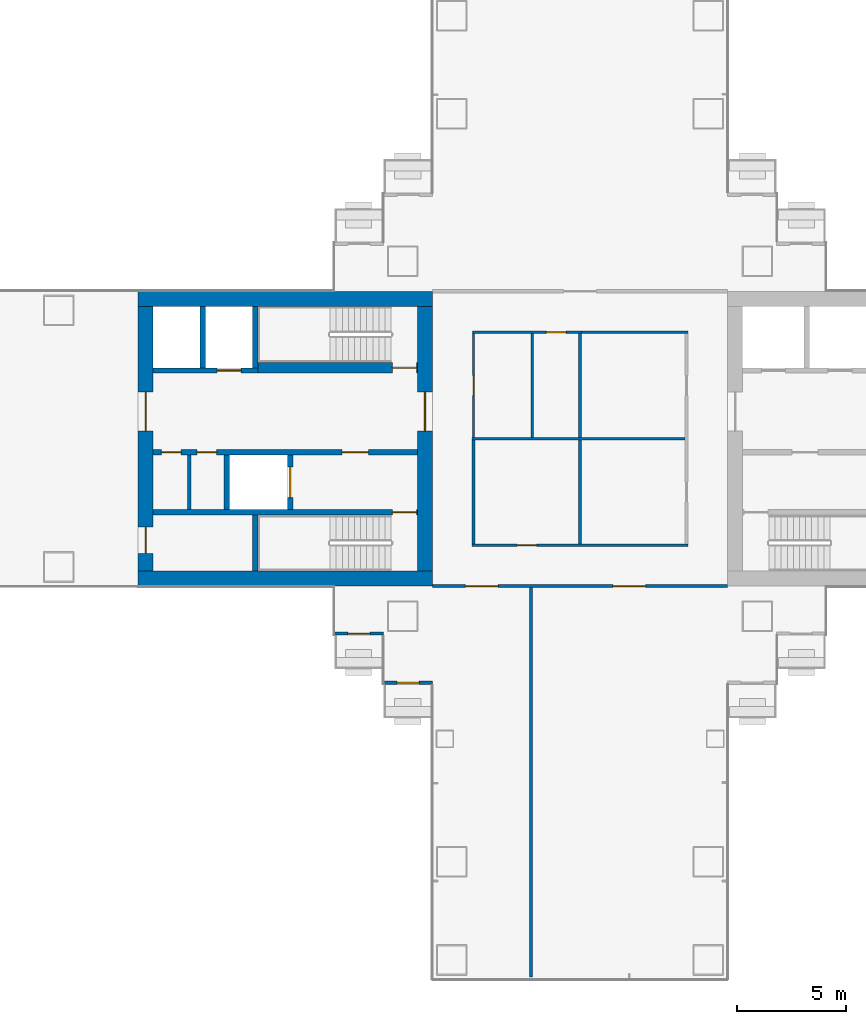
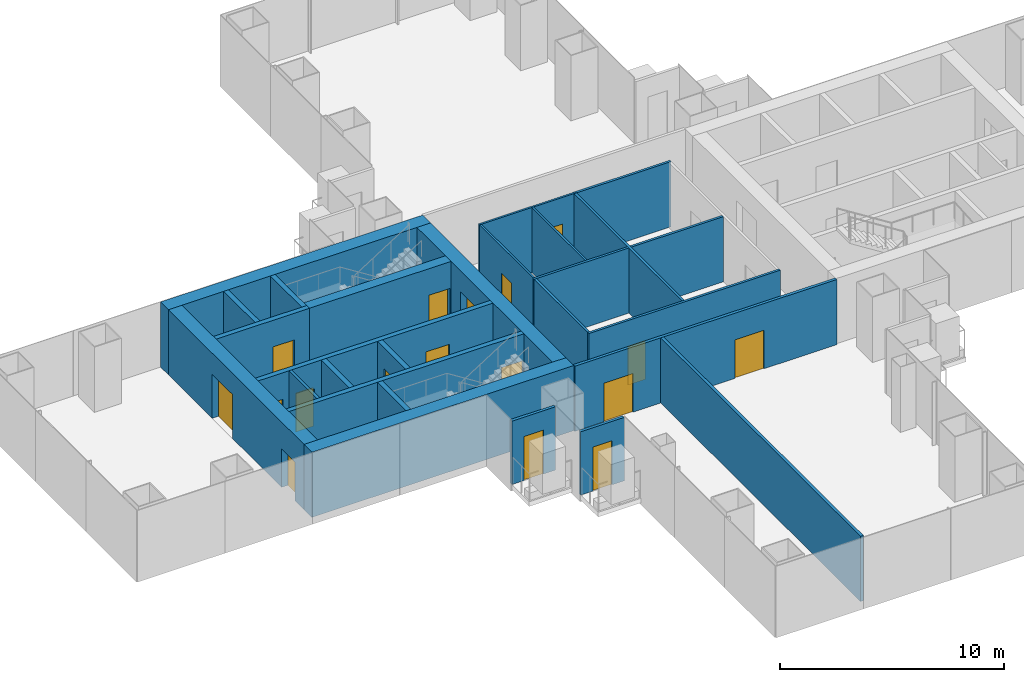
# One storey, part 14 of 21: 26 walls, 17 doors, 17 openings.
"""IFC4 building model written with IfcOpenShell, lengths in metres."""

from ifc_helpers import new_model, si_unit, direction, frame, frame_2d, origin, place, context, subcontext, project, spatial, rectangle, extrude, material, layer, layer_set, type_object, element, fill, save


model = new_model("IFC4")

# Units and contexts
model_context = context("Model", 3, precision=1e-05, world=origin(), true_north=direction((0.0, 1.0)))
body_context = subcontext(model_context, "Body", "Model", "MODEL_VIEW")
ifc_project = project(units=[si_unit("LENGTHUNIT", "METRE"), si_unit("AREAUNIT", "SQUARE_METRE"), si_unit("VOLUMEUNIT", "CUBIC_METRE"), si_unit("PLANEANGLEUNIT", "RADIAN"), si_unit("MASSUNIT", "GRAM", prefix="KILO")], contexts=[model_context])

# Site, building, storey
site_placement = place(None, origin())
site = spatial("IfcSite", under=ifc_project, at=site_placement, CompositionType="ELEMENT")
building_placement = place(site_placement, origin())
building = spatial("IfcBuilding", under=site, at=building_placement, Name="Shamsa Quay Exchange Towers", CompositionType="ELEMENT")
storey_placement = place(building_placement, frame((0.0, 0.0, 65.39990234375)))
storey = spatial("IfcBuildingStorey", under=building, at=storey_placement, Name="L14", CompositionType="ELEMENT", Elevation=65.39990234375)

# Wall, opening, door
ifc_material_1 = material(Name="Aluminium EN AW-6063 T6, black anodised, with black enamelled glass infill", Category="aluminium")
ifc_layer_1 = layer(ifc_material_1, 0.14990234375)
ifc_layer_set_1 = layer_set([ifc_layer_1], Name="BALCONY DOOR BAY WALL 150")
wall_type_1 = type_object("IfcWallType", Name="BALCONY DOOR BAY WALL 150", PredefinedType="SOLIDWALL", material=ifc_layer_set_1)
wall_1_placement = place(storey_placement, frame((-42.75, -8.925048828125, 0.0), z_axis=(0.0, 0.0, 1.0), x_axis=(-1.0, 0.0, 0.0)))
wall_1 = element("IfcWall", 1, at=wall_1_placement, inside=storey, type_object=wall_type_1, Name="Door bay T1-PKWS L14", PredefinedType="SOLIDWALL", context=body_context, shape_type="SweptSolid", body=[
    extrude(rectangle(XDim=2.25, YDim=0.14990234375, at=frame_2d((1.125, 0.0))), origin(), (0.0, 0.0, 1.0), 3.4501953125),
])
opening_1_placement = place(wall_1_placement, frame((0.625, 0.0, 0.0)))
opening_1 = element("IfcOpeningElement", 2, at=opening_1_placement, cuts=wall_1, Name="Opening XD087", PredefinedType="OPENING", context=body_context, shape_type="SweptSolid", body=[
    extrude(rectangle(XDim=1.0, YDim=2.39990234375, at=frame_2d((0.5, 1.199951171875))), frame((0.0, 0.0849609375, 0.0), z_axis=(0.0, -1.0, 0.0), x_axis=(1.0, 0.0, 0.0)), (0.0, 0.0, 1.0), 0.169921875),
])
ifc_material_2 = material(Name="Aluminium EN AW-6063 T6, black anodised, with laminated glass leaf", Category="aluminium")
door_type_1 = type_object("IfcDoorType", Name="BALCONY DOOR 1000x2400", OperationType="SINGLE_SWING_LEFT", PredefinedType="DOOR", material=ifc_material_2)
door_1_placement = place(opening_1_placement, origin())
door_1 = element("IfcDoor", 3, at=door_1_placement, inside=storey, type_object=door_type_1, Name="Balcony door T1-PKWS L14", OperationType="SINGLE_SWING_LEFT", OverallHeight=2.39990234375, OverallWidth=1.0, PredefinedType="DOOR", context=body_context, shape_type="SweptSolid", body=[
    extrude(rectangle(XDim=1.0, YDim=2.39990234375, at=frame_2d((0.5, 1.199951171875))), frame((0.0, 0.02490234375, 0.0), z_axis=(0.0, -1.0, 0.0), x_axis=(1.0, 0.0, 0.0)), (0.0, 0.0, 1.0), 0.050048828125),
])
fill(opening_1, door_1)

wall_2_placement = place(storey_placement, frame((-40.5, -11.175048828125, 0.0), z_axis=(0.0, 0.0, 1.0), x_axis=(-1.0, 0.0, 0.0)))
wall_2 = element("IfcWall", 4, at=wall_2_placement, inside=storey, type_object=wall_type_1, Name="Door bay T1-PKWS L14", PredefinedType="SOLIDWALL", context=body_context, shape_type="SweptSolid", body=[
    extrude(rectangle(XDim=2.25, YDim=0.14990234375, at=frame_2d((1.125, 0.0))), origin(), (0.0, 0.0, 1.0), 3.4501953125),
])
opening_2_placement = place(wall_2_placement, frame((0.625, 0.0, 0.0)))
opening_2 = element("IfcOpeningElement", 5, at=opening_2_placement, cuts=wall_2, Name="Opening XD088", PredefinedType="OPENING", context=body_context, shape_type="SweptSolid", body=[
    extrude(rectangle(XDim=1.0, YDim=2.39990234375, at=frame_2d((0.5, 1.199951171875))), frame((0.0, 0.0849609375, 0.0), z_axis=(0.0, -1.0, 0.0), x_axis=(1.0, 0.0, 0.0)), (0.0, 0.0, 1.0), 0.169921875),
])
door_2_placement = place(opening_2_placement, origin())
door_2 = element("IfcDoor", 6, at=door_2_placement, inside=storey, type_object=door_type_1, Name="Balcony door T1-PKWS L14", OperationType="SINGLE_SWING_RIGHT", OverallHeight=2.39990234375, OverallWidth=1.0, PredefinedType="DOOR", context=body_context, shape_type="SweptSolid", body=[
    extrude(rectangle(XDim=1.0, YDim=2.39990234375, at=frame_2d((0.5, 1.199951171875))), frame((0.0, 0.02490234375, 0.0), z_axis=(0.0, -1.0, 0.0), x_axis=(1.0, 0.0, 0.0)), (0.0, 0.0, 1.0), 0.050048828125),
])
fill(opening_2, door_2)

# Walls
ifc_material_3 = material(Name="Concrete C80/95", Category="concrete")
ifc_layer_2 = layer(ifc_material_3, 0.699951171875)
ifc_layer_set_2 = layer_set([ifc_layer_2], Name="CORE WALL 700 C80/95")
wall_type_2 = type_object("IfcWallType", Name="CORE WALL 700 C80/95", PredefinedType="SHEAR", material=ifc_layer_set_2)
for number, where, z_axis, x_axis, name in (
    (7, (-40.5, -6.39990234375, 0.0), (0.0, 0.0, 1.0), (-1.0, 0.0, 0.0), "Core wall T1B-R06-PS"),
    (8, (-40.5, 6.39990234375, 0.0), (0.0, 0.0, 1.0), (-1.0, 0.0, 0.0), "Core wall T1B-R06-PN"),
):
    element("IfcWall", number, at=place(storey_placement, frame(where, z_axis=z_axis, x_axis=x_axis)), inside=storey, type_object=wall_type_2, Name=name, PredefinedType="SHEAR", context=body_context, shape_type="SweptSolid", body=[
        extrude(rectangle(XDim=13.5, YDim=0.699951171875, at=frame_2d((6.75, 0.0))), origin(), (0.0, 0.0, 1.0), 3.550048828125),
    ])

# Wall, opening, door
wall_3_placement = place(storey_placement, frame((-40.85009765625, -6.050048828125, 0.0), z_axis=(0.0, 0.0, 1.0), x_axis=(0.0, 1.0, 0.0)))
wall_3 = element("IfcWall", 9, at=wall_3_placement, inside=storey, type_object=wall_type_2, Name="Core wall T1B-R06-PF", PredefinedType="SHEAR", context=body_context, shape_type="SweptSolid", body=[
    extrude(rectangle(XDim=12.10009765625, YDim=0.699951171875, at=frame_2d((6.050048828125, 0.0))), origin(), (0.0, 0.0, 1.0), 3.550048828125),
])
opening_3_placement = place(wall_3_placement, frame((6.39990234375, 0.0, 0.0)))
opening_3 = element("IfcOpeningElement", 10, at=opening_3_placement, cuts=wall_3, Name="Opening T1B-R06-LBD01", PredefinedType="OPENING", context=body_context, shape_type="SweptSolid", body=[
    extrude(rectangle(XDim=1.800048828125, YDim=2.39990234375, at=frame_2d((0.89990234375, 1.199951171875))), frame((0.0, 0.35986328125, 0.0), z_axis=(0.0, -1.0, 0.0), x_axis=(1.0, 0.0, 0.0)), (0.0, 0.0, 1.0), 0.719970703125),
])
ifc_material_4 = material(Name="Steel, fire rated", Category="steel")
door_type_2 = type_object("IfcDoorType", Name="LIFT LOBBY DOOR PAIR 1800", OperationType="DOUBLE_DOOR_SINGLE_SWING", PredefinedType="DOOR", material=ifc_material_4)
door_3_placement = place(opening_3_placement, origin())
door_3 = element("IfcDoor", 11, at=door_3_placement, inside=storey, type_object=door_type_2, Name="T1B-R06-LBD01", OperationType="DOUBLE_DOOR_SINGLE_SWING", OverallHeight=2.39990234375, OverallWidth=1.800048828125, PredefinedType="DOOR", context=body_context, shape_type="SweptSolid", body=[
    extrude(rectangle(XDim=1.800048828125, YDim=2.39990234375, at=frame_2d((0.89990234375, 1.199951171875))), frame((0.0, 0.02490234375, 0.0), z_axis=(0.0, -1.0, 0.0), x_axis=(1.0, 0.0, 0.0)), (0.0, 0.0, 1.0), 0.050048828125),
])
fill(opening_3, door_3)

# Wall, openings, doors
wall_4_placement = place(storey_placement, frame((-53.64990234375, -6.050048828125, 0.0), z_axis=(0.0, 0.0, 1.0), x_axis=(0.0, 1.0, 0.0)))
wall_4 = element("IfcWall", 12, at=wall_4_placement, inside=storey, type_object=wall_type_2, Name="Core wall T1B-R06-PB", PredefinedType="SHEAR", context=body_context, shape_type="SweptSolid", body=[
    extrude(rectangle(XDim=12.10009765625, YDim=0.699951171875, at=frame_2d((6.050048828125, 0.0))), origin(), (0.0, 0.0, 1.0), 3.550048828125),
])
opening_4_placement = place(wall_4_placement, frame((0.800048828125, 0.0, 0.0)))
opening_4 = element("IfcOpeningElement", 13, at=opening_4_placement, cuts=wall_4, Name="Opening T1B-R06-RD02", PredefinedType="OPENING", context=body_context, shape_type="SweptSolid", body=[
    extrude(rectangle(XDim=1.199951171875, YDim=2.10009765625, at=frame_2d((0.60009765625, 1.050048828125))), frame((0.0, 0.35986328125, 0.0), z_axis=(0.0, -1.0, 0.0), x_axis=(1.0, 0.0, 0.0)), (0.0, 0.0, 1.0), 0.719970703125),
])
opening_5_placement = place(wall_4_placement, frame((6.39990234375, 0.0, 0.0)))
opening_5 = element("IfcOpeningElement", 14, at=opening_5_placement, cuts=wall_4, Name="Opening T1B-R06-LBD03", PredefinedType="OPENING", context=body_context, shape_type="SweptSolid", body=[
    extrude(rectangle(XDim=1.800048828125, YDim=2.39990234375, at=frame_2d((0.89990234375, 1.199951171875))), frame((0.0, 0.35986328125, 0.0), z_axis=(0.0, -1.0, 0.0), x_axis=(1.0, 0.0, 0.0)), (0.0, 0.0, 1.0), 0.719970703125),
])
door_4_placement = place(opening_5_placement, origin())
door_4 = element("IfcDoor", 15, at=door_4_placement, inside=storey, type_object=door_type_2, Name="T1B-R06-LBD03", OperationType="DOUBLE_DOOR_SINGLE_SWING", OverallHeight=2.39990234375, OverallWidth=1.800048828125, PredefinedType="DOOR", context=body_context, shape_type="SweptSolid", body=[
    extrude(rectangle(XDim=1.800048828125, YDim=2.39990234375, at=frame_2d((0.89990234375, 1.199951171875))), frame((0.0, 0.02490234375, 0.0), z_axis=(0.0, -1.0, 0.0), x_axis=(1.0, 0.0, 0.0)), (0.0, 0.0, 1.0), 0.050048828125),
])
fill(opening_5, door_4)
door_type_3 = type_object("IfcDoorType", Name="RISER ACCESS DOOR 1200", OperationType="SINGLE_SWING_LEFT", PredefinedType="DOOR", material=ifc_material_4)
door_5_placement = place(opening_4_placement, origin())
door_5 = element("IfcDoor", 16, at=door_5_placement, inside=storey, type_object=door_type_3, Name="T1B-R06-RD02", OperationType="SINGLE_SWING_LEFT", OverallHeight=2.10009765625, OverallWidth=1.199951171875, PredefinedType="DOOR", context=body_context, shape_type="SweptSolid", body=[
    extrude(rectangle(XDim=1.199951171875, YDim=2.10009765625, at=frame_2d((0.60009765625, 1.050048828125))), frame((0.0, 0.02490234375, 0.0), z_axis=(0.0, -1.0, 0.0), x_axis=(1.0, 0.0, 0.0)), (0.0, 0.0, 1.0), 0.050048828125),
])
fill(opening_4, door_5)

# Walls
ifc_material_5 = material(Name="Gypsum board on steel studs, EI 60", Category="steel")
ifc_layer_3 = layer(ifc_material_5, 0.14990234375)
ifc_layer_set_3 = layer_set([ifc_layer_3], Name="FIRE PARTITION 150")
wall_type_3 = type_object("IfcWallType", Name="FIRE PARTITION 150", PredefinedType="PARTITIONING", material=ifc_layer_set_3)
wall_5_placement = place(storey_placement, frame((-51.64990234375, -3.25, 0.0), z_axis=(0.0, 0.0, 1.0), x_axis=(0.0, 1.0, 0.0)))
element("IfcWall", 17, at=wall_5_placement, inside=storey, type_object=wall_type_3, Name="Partition T1B-R06-EC0", PredefinedType="PARTITIONING", context=body_context, shape_type="SweptSolid", body=[
    extrude(rectangle(XDim=2.5, YDim=0.14990234375, at=frame_2d((1.25, 0.0))), origin(), (0.0, 0.0, 1.0), 3.550048828125),
])
ifc_material_6 = material(Name="Laminated fire-resisting glass in a metal frame", Category="glass")
ifc_layer_4 = layer(ifc_material_6, 0.125)
ifc_layer_set_4 = layer_set([ifc_layer_4], Name="Glazed partition 125 mm EI 60")
wall_type_4 = type_object("IfcWallType", Name="Glazed partition 125 mm EI 60", PredefinedType="PARTITIONING", material=ifc_layer_set_4)
wall_6_placement = place(storey_placement, frame((-28.8125, 4.875, 0.0), z_axis=(0.0, 0.0, 1.0), x_axis=(-1.0, 0.0, 0.0)))
element("IfcWall", 18, at=wall_6_placement, inside=storey, type_object=wall_type_4, Name="Partition T1-R06-W02", PredefinedType="PARTITIONING", context=body_context, shape_type="SweptSolid", body=[
    extrude(rectangle(XDim=5.0, YDim=0.125, at=frame_2d((2.5, 0.0))), origin(), (0.0, 0.0, 1.0), 3.550048828125),
])

# Wall, opening, door
wall_7_placement = place(storey_placement, frame((-38.6875, -4.875, 0.0)))
wall_7 = element("IfcWall", 19, at=wall_7_placement, inside=storey, type_object=wall_type_4, Name="Partition T1-R06-W03", PredefinedType="PARTITIONING", context=body_context, shape_type="SweptSolid", body=[
    extrude(rectangle(XDim=9.875, YDim=0.125, at=frame_2d((4.9375, 0.0))), origin(), (0.0, 0.0, 1.0), 3.550048828125),
])
opening_6_placement = place(wall_7_placement, frame((2.050048828125, 0.0, 0.0)))
opening_6 = element("IfcOpeningElement", 20, at=opening_6_placement, cuts=wall_7, Name="Opening T1-R06-D02", PredefinedType="OPENING", context=body_context, shape_type="SweptSolid", body=[
    extrude(rectangle(XDim=0.89990234375, YDim=2.10009765625, at=frame_2d((0.449951171875, 1.050048828125))), frame((0.0, 0.072509765625, 0.0), z_axis=(0.0, -1.0, 0.0), x_axis=(1.0, 0.0, 0.0)), (0.0, 0.0, 1.0), 0.14501953125),
])
ifc_material_7 = material(Name="Timber door leaf in a metal frame", Category="wood")
door_type_4 = type_object("IfcDoorType", Name="Door 900x2100 FD30S", OperationType="NOTDEFINED", PredefinedType="DOOR", material=ifc_material_7)
door_6_placement = place(opening_6_placement, origin())
door_6 = element("IfcDoor", 21, at=door_6_placement, inside=storey, type_object=door_type_4, Name="Door T1-R06-D02", OperationType="SINGLE_SWING_LEFT", OverallHeight=2.10009765625, OverallWidth=0.89990234375, PredefinedType="DOOR", context=body_context, shape_type="SweptSolid", body=[
    extrude(rectangle(XDim=0.89990234375, YDim=2.10009765625, at=frame_2d((0.449951171875, 1.050048828125))), frame((0.0, 0.02490234375, 0.0), z_axis=(0.0, -1.0, 0.0), x_axis=(1.0, 0.0, 0.0)), (0.0, 0.0, 1.0), 0.050048828125),
])
fill(opening_6, door_6)

# Walls
wall_8_placement = place(storey_placement, frame((-38.625, -0.0625, 0.0), z_axis=(0.0, 0.0, 1.0), x_axis=(0.0, -1.0, 0.0)))
element("IfcWall", 22, at=wall_8_placement, inside=storey, type_object=wall_type_4, Name="Partition T1-R06-W06", PredefinedType="PARTITIONING", context=body_context, shape_type="SweptSolid", body=[
    extrude(rectangle(XDim=4.75, YDim=0.125, at=frame_2d((2.375, 0.0))), origin(), (0.0, 0.0, 1.0), 3.550048828125),
])
wall_9_placement = place(storey_placement, frame((-38.6875, 0.0, 0.0)))
element("IfcWall", 23, at=wall_9_placement, inside=storey, type_object=wall_type_4, Name="Partition T1-R06-W09", PredefinedType="PARTITIONING", context=body_context, shape_type="SweptSolid", body=[
    extrude(rectangle(XDim=9.75, YDim=0.125, at=frame_2d((4.875, 0.0))), origin(), (0.0, 0.0, 1.0), 3.550048828125),
])
wall_10_placement = place(storey_placement, frame((-33.75, 4.8125, 0.0), z_axis=(0.0, 0.0, 1.0), x_axis=(0.0, -1.0, 0.0)))
element("IfcWall", 24, at=wall_10_placement, inside=storey, type_object=wall_type_4, Name="Partition T1-R06-W10", PredefinedType="PARTITIONING", context=body_context, shape_type="SweptSolid", body=[
    extrude(rectangle(XDim=9.625, YDim=0.125, at=frame_2d((4.8125, 0.0))), origin(), (0.0, 0.0, 1.0), 3.550048828125),
])

# Wall, opening, door
ifc_material_8 = material(Name="Gypsum board partition on metal studs")
ifc_layer_5 = layer(ifc_material_8, 0.10009765625)
ifc_layer_set_5 = layer_set([ifc_layer_5], Name="Partition 100 mm NOT RATED")
wall_type_5 = type_object("IfcWallType", Name="Partition 100 mm NOT RATED", PredefinedType="PARTITIONING", material=ifc_layer_set_5)
wall_11_placement = place(storey_placement, frame((-38.625, 4.824951171875, 0.0), z_axis=(0.0, 0.0, 1.0), x_axis=(0.0, -1.0, 0.0)))
wall_11 = element("IfcWall", 25, at=wall_11_placement, inside=storey, type_object=wall_type_5, Name="Partition T1-R06-W04", PredefinedType="PARTITIONING", context=body_context, shape_type="SweptSolid", body=[
    extrude(rectangle(XDim=4.762451171875, YDim=0.10009765625, at=frame_2d((2.38134765625, 0.0))), origin(), (0.0, 0.0, 1.0), 3.550048828125),
])
opening_7_placement = place(wall_11_placement, frame((1.9375, 0.0, 0.0)))
opening_7 = element("IfcOpeningElement", 26, at=opening_7_placement, cuts=wall_11, Name="Opening T1-R06-D03", PredefinedType="OPENING", context=body_context, shape_type="SweptSolid", body=[
    extrude(rectangle(XDim=0.89990234375, YDim=2.10009765625, at=frame_2d((0.449951171875, 1.050048828125))), frame((0.0, 0.06005859375, 0.0), z_axis=(0.0, -1.0, 0.0), x_axis=(1.0, 0.0, 0.0)), (0.0, 0.0, 1.0), 0.1201171875),
])
door_type_5 = type_object("IfcDoorType", Name="Door 900x2100 NOT RATED", OperationType="NOTDEFINED", PredefinedType="DOOR", material=ifc_material_7)
door_7_placement = place(opening_7_placement, origin())
door_7 = element("IfcDoor", 27, at=door_7_placement, inside=storey, type_object=door_type_5, Name="Door T1-R06-D03", OperationType="SINGLE_SWING_RIGHT", OverallHeight=2.10009765625, OverallWidth=0.89990234375, PredefinedType="DOOR", context=body_context, shape_type="SweptSolid", body=[
    extrude(rectangle(XDim=0.89990234375, YDim=2.10009765625, at=frame_2d((0.449951171875, 1.050048828125))), frame((0.0, 0.02490234375, 0.0), z_axis=(0.0, -1.0, 0.0), x_axis=(1.0, 0.0, 0.0)), (0.0, 0.0, 1.0), 0.050048828125),
])
fill(opening_7, door_7)

wall_12_placement = place(storey_placement, frame((-33.6875, 4.875, 0.0), z_axis=(0.0, 0.0, 1.0), x_axis=(-1.0, 0.0, 0.0)))
wall_12 = element("IfcWall", 28, at=wall_12_placement, inside=storey, type_object=wall_type_5, Name="Partition T1-R06-W05", PredefinedType="PARTITIONING", context=body_context, shape_type="SweptSolid", body=[
    extrude(rectangle(XDim=4.987548828125, YDim=0.10009765625, at=frame_2d((2.49365234375, 0.0))), origin(), (0.0, 0.0, 1.0), 3.550048828125),
])
opening_8_placement = place(wall_12_placement, frame((0.706298828125, 0.0, 0.0)))
opening_8 = element("IfcOpeningElement", 29, at=opening_8_placement, cuts=wall_12, Name="Opening T1-R06-D04", PredefinedType="OPENING", context=body_context, shape_type="SweptSolid", body=[
    extrude(rectangle(XDim=0.89990234375, YDim=2.10009765625, at=frame_2d((0.449951171875, 1.050048828125))), frame((0.0, 0.06005859375, 0.0), z_axis=(0.0, -1.0, 0.0), x_axis=(1.0, 0.0, 0.0)), (0.0, 0.0, 1.0), 0.1201171875),
])
door_8_placement = place(opening_8_placement, origin())
door_8 = element("IfcDoor", 30, at=door_8_placement, inside=storey, type_object=door_type_5, Name="Door T1-R06-D04", OperationType="SINGLE_SWING_LEFT", OverallHeight=2.10009765625, OverallWidth=0.89990234375, PredefinedType="DOOR", context=body_context, shape_type="SweptSolid", body=[
    extrude(rectangle(XDim=0.89990234375, YDim=2.10009765625, at=frame_2d((0.449951171875, 1.050048828125))), frame((0.0, 0.02490234375, 0.0), z_axis=(0.0, -1.0, 0.0), x_axis=(1.0, 0.0, 0.0)), (0.0, 0.0, 1.0), 0.050048828125),
])
fill(opening_8, door_8)

# Wall
wall_13_placement = place(storey_placement, frame((-35.9375, 0.0625, 0.0), z_axis=(0.0, 0.0, 1.0), x_axis=(0.0, 1.0, 0.0)))
element("IfcWall", 31, at=wall_13_placement, inside=storey, type_object=wall_type_5, Name="Partition T1-R06-W11", PredefinedType="PARTITIONING", context=body_context, shape_type="SweptSolid", body=[
    extrude(rectangle(XDim=4.762451171875, YDim=0.10009765625, at=frame_2d((2.38134765625, 0.0))), origin(), (0.0, 0.0, 1.0), 3.550048828125),
])

# Wall, openings, doors
ifc_layer_6 = layer(ifc_material_8, 0.14990234375)
ifc_layer_set_6 = layer_set([ifc_layer_6], Name="Partition 150 mm EI 60")
wall_type_6 = type_object("IfcWallType", Name="Partition 150 mm EI 60", PredefinedType="PARTITIONING", material=ifc_layer_set_6)
wall_14_placement = place(storey_placement, frame((-27.0, -6.75, 0.0), z_axis=(0.0, 0.0, 1.0), x_axis=(-1.0, 0.0, 0.0)))
wall_14 = element("IfcWall", 32, at=wall_14_placement, inside=storey, type_object=wall_type_6, Name="Partition T1-R06-W08", PredefinedType="PARTITIONING", context=body_context, shape_type="SweptSolid", body=[
    extrude(rectangle(XDim=13.5, YDim=0.14990234375, at=frame_2d((6.75, 0.0))), origin(), (0.0, 0.0, 1.0), 3.550048828125),
])
opening_9_placement = place(wall_14_placement, frame((3.75, 0.0, 0.0)))
opening_9 = element("IfcOpeningElement", 33, at=opening_9_placement, cuts=wall_14, Name="Opening T1-R06-D07", PredefinedType="OPENING", context=body_context, shape_type="SweptSolid", body=[
    extrude(rectangle(XDim=1.5, YDim=2.10009765625, at=frame_2d((0.75, 1.050048828125))), frame((0.0, 0.0849609375, 0.0), z_axis=(0.0, -1.0, 0.0), x_axis=(1.0, 0.0, 0.0)), (0.0, 0.0, 1.0), 0.169921875),
])
opening_10_placement = place(wall_14_placement, frame((10.5, 0.0, 0.0)))
opening_10 = element("IfcOpeningElement", 34, at=opening_10_placement, cuts=wall_14, Name="Opening T1-R06-D08", PredefinedType="OPENING", context=body_context, shape_type="SweptSolid", body=[
    extrude(rectangle(XDim=1.5, YDim=2.10009765625, at=frame_2d((0.75, 1.050048828125))), frame((0.0, 0.0849609375, 0.0), z_axis=(0.0, -1.0, 0.0), x_axis=(1.0, 0.0, 0.0)), (0.0, 0.0, 1.0), 0.169921875),
])
door_type_6 = type_object("IfcDoorType", Name="Door 1500x2100 FD30S pair", OperationType="NOTDEFINED", PredefinedType="DOOR", material=ifc_material_7)
door_9_placement = place(opening_9_placement, origin())
door_9 = element("IfcDoor", 35, at=door_9_placement, inside=storey, type_object=door_type_6, Name="Door T1-R06-D07", OperationType="DOUBLE_DOOR_SINGLE_SWING", OverallHeight=2.10009765625, OverallWidth=1.5, PredefinedType="DOOR", context=body_context, shape_type="SweptSolid", body=[
    extrude(rectangle(XDim=1.5, YDim=2.10009765625, at=frame_2d((0.75, 1.050048828125))), frame((0.0, 0.02490234375, 0.0), z_axis=(0.0, -1.0, 0.0), x_axis=(1.0, 0.0, 0.0)), (0.0, 0.0, 1.0), 0.050048828125),
])
fill(opening_9, door_9)
door_10_placement = place(opening_10_placement, origin())
door_10 = element("IfcDoor", 36, at=door_10_placement, inside=storey, type_object=door_type_6, Name="Door T1-R06-D08", OperationType="DOUBLE_DOOR_SINGLE_SWING", OverallHeight=2.10009765625, OverallWidth=1.5, PredefinedType="DOOR", context=body_context, shape_type="SweptSolid", body=[
    extrude(rectangle(XDim=1.5, YDim=2.10009765625, at=frame_2d((0.75, 1.050048828125))), frame((0.0, 0.02490234375, 0.0), z_axis=(0.0, -1.0, 0.0), x_axis=(1.0, 0.0, 0.0)), (0.0, 0.0, 1.0), 0.050048828125),
])
fill(opening_10, door_10)

# Wall
wall_15_placement = place(storey_placement, frame((-36.0, -24.655029296875, 0.0), z_axis=(0.0, 0.0, 1.0), x_axis=(0.0, 1.0, 0.0)))
element("IfcWall", 37, at=wall_15_placement, inside=storey, type_object=wall_type_6, Name="Partition T1-R06-W12", PredefinedType="PARTITIONING", context=body_context, shape_type="SweptSolid", body=[
    extrude(rectangle(XDim=17.830078125, YDim=0.14990234375, at=frame_2d((8.9150390625, 0.0))), origin(), (0.0, 0.0, 1.0), 3.550048828125),
])

# Wall, opening, door
ifc_material_9 = material(Name="Concrete C50/60", Category="concrete")
ifc_layer_7 = layer(ifc_material_9, 0.25)
ifc_layer_set_7 = layer_set([ifc_layer_7], Name="SHAFT WALL 250 C50/60")
wall_type_7 = type_object("IfcWallType", Name="SHAFT WALL 250 C50/60", PredefinedType="SHEAR", material=ifc_layer_set_7)
wall_16_placement = place(storey_placement, frame((-41.199951171875, -3.375, 0.0), z_axis=(0.0, 0.0, 1.0), x_axis=(-1.0, 0.0, 0.0)))
wall_16 = element("IfcWall", 38, at=wall_16_placement, inside=storey, type_object=wall_type_7, Name="Shaft wall T1B-R06-STL", PredefinedType="SHEAR", context=body_context, shape_type="SweptSolid", body=[
    extrude(rectangle(XDim=12.10009765625, YDim=0.25, at=frame_2d((6.050048828125, 0.0))), origin(), (0.0, 0.0, 1.0), 3.550048828125),
])
opening_11_placement = place(wall_16_placement, frame((0.050048828125, 0.0, 0.0)))
opening_11 = element("IfcOpeningElement", 39, at=opening_11_placement, cuts=wall_16, Name="Opening T1B-R06-SD04", PredefinedType="OPENING", context=body_context, shape_type="SweptSolid", body=[
    extrude(rectangle(XDim=1.10009765625, YDim=2.10009765625, at=frame_2d((0.550048828125, 1.050048828125))), frame((0.0, 0.135009765625, 0.0), z_axis=(0.0, -1.0, 0.0), x_axis=(1.0, 0.0, 0.0)), (0.0, 0.0, 1.0), 0.27001953125),
])
door_type_7 = type_object("IfcDoorType", Name="STAIR DOOR 1100", OperationType="SINGLE_SWING_LEFT", PredefinedType="DOOR", material=ifc_material_4)
door_11_placement = place(opening_11_placement, origin())
door_11 = element("IfcDoor", 40, at=door_11_placement, inside=storey, type_object=door_type_7, Name="T1B-R06-SD04", OperationType="SINGLE_SWING_LEFT", OverallHeight=2.10009765625, OverallWidth=1.10009765625, PredefinedType="DOOR", context=body_context, shape_type="SweptSolid", body=[
    extrude(rectangle(XDim=1.10009765625, YDim=2.10009765625, at=frame_2d((0.550048828125, 1.050048828125))), frame((0.0, 0.02490234375, 0.0), z_axis=(0.0, -1.0, 0.0), x_axis=(1.0, 0.0, 0.0)), (0.0, 0.0, 1.0), 0.050048828125),
])
fill(opening_11, door_11)

# Wall
wall_17_placement = place(storey_placement, frame((-48.625, -6.050048828125, 0.0), z_axis=(0.0, 0.0, 1.0), x_axis=(0.0, 1.0, 0.0)))
element("IfcWall", 41, at=wall_17_placement, inside=storey, type_object=wall_type_7, Name="Shaft wall T1B-R06-STF", PredefinedType="SHEAR", context=body_context, shape_type="SweptSolid", body=[
    extrude(rectangle(XDim=2.550048828125, YDim=0.25, at=frame_2d((1.27490234375, 0.0))), origin(), (0.0, 0.0, 1.0), 3.550048828125),
])

# Wall, openings, doors
wall_18_placement = place(storey_placement, frame((-41.199951171875, -0.625, 0.0), z_axis=(0.0, 0.0, 1.0), x_axis=(-1.0, 0.0, 0.0)))
wall_18 = element("IfcWall", 42, at=wall_18_placement, inside=storey, type_object=wall_type_7, Name="Shaft wall T1B-R06-B", PredefinedType="SHEAR", context=body_context, shape_type="SweptSolid", body=[
    extrude(rectangle(XDim=12.10009765625, YDim=0.25, at=frame_2d((6.050048828125, 0.0))), origin(), (0.0, 0.0, 1.0), 3.550048828125),
])
opening_12_placement = place(wall_18_placement, frame((2.25, 0.0, 0.0)))
opening_12 = element("IfcOpeningElement", 43, at=opening_12_placement, cuts=wall_18, Name="Opening T1B-R06-FD05", PredefinedType="OPENING", context=body_context, shape_type="SweptSolid", body=[
    extrude(rectangle(XDim=1.199951171875, YDim=2.10009765625, at=frame_2d((0.60009765625, 1.050048828125))), frame((0.0, 0.135009765625, 0.0), z_axis=(0.0, -1.0, 0.0), x_axis=(1.0, 0.0, 0.0)), (0.0, 0.0, 1.0), 0.27001953125),
])
opening_13_placement = place(wall_18_placement, frame((9.199951171875, 0.0, 0.0)))
opening_13 = element("IfcOpeningElement", 44, at=opening_13_placement, cuts=wall_18, Name="Opening T1B-R06-SV06", PredefinedType="OPENING", context=body_context, shape_type="SweptSolid", body=[
    extrude(rectangle(XDim=0.89990234375, YDim=2.10009765625, at=frame_2d((0.449951171875, 1.050048828125))), frame((0.0, 0.135009765625, 0.0), z_axis=(0.0, -1.0, 0.0), x_axis=(1.0, 0.0, 0.0)), (0.0, 0.0, 1.0), 0.27001953125),
])
opening_14_placement = place(wall_18_placement, frame((10.824951171875, 0.0, 0.0)))
opening_14 = element("IfcOpeningElement", 45, at=opening_14_placement, cuts=wall_18, Name="Opening T1B-R06-SV07", PredefinedType="OPENING", context=body_context, shape_type="SweptSolid", body=[
    extrude(rectangle(XDim=0.89990234375, YDim=2.10009765625, at=frame_2d((0.449951171875, 1.050048828125))), frame((0.0, 0.135009765625, 0.0), z_axis=(0.0, -1.0, 0.0), x_axis=(1.0, 0.0, 0.0)), (0.0, 0.0, 1.0), 0.27001953125),
])
door_type_8 = type_object("IfcDoorType", Name="FIRE SERVICE LOBBY DOOR 1200", OperationType="SINGLE_SWING_LEFT", PredefinedType="DOOR", material=ifc_material_4)
door_12_placement = place(opening_12_placement, origin())
door_12 = element("IfcDoor", 46, at=door_12_placement, inside=storey, type_object=door_type_8, Name="T1B-R06-FD05", OperationType="SINGLE_SWING_LEFT", OverallHeight=2.10009765625, OverallWidth=1.199951171875, PredefinedType="DOOR", context=body_context, shape_type="SweptSolid", body=[
    extrude(rectangle(XDim=1.199951171875, YDim=2.10009765625, at=frame_2d((0.60009765625, 1.050048828125))), frame((0.0, 0.02490234375, 0.0), z_axis=(0.0, -1.0, 0.0), x_axis=(1.0, 0.0, 0.0)), (0.0, 0.0, 1.0), 0.050048828125),
])
fill(opening_12, door_12)
door_type_9 = type_object("IfcDoorType", Name="SERVICE ROOM DOOR 900", OperationType="SINGLE_SWING_LEFT", PredefinedType="DOOR", material=ifc_material_4)
door_13_placement = place(opening_13_placement, origin())
door_13 = element("IfcDoor", 47, at=door_13_placement, inside=storey, type_object=door_type_9, Name="T1B-R06-SV06", OperationType="SINGLE_SWING_RIGHT", OverallHeight=2.10009765625, OverallWidth=0.89990234375, PredefinedType="DOOR", context=body_context, shape_type="SweptSolid", body=[
    extrude(rectangle(XDim=0.89990234375, YDim=2.10009765625, at=frame_2d((0.449951171875, 1.050048828125))), frame((0.0, 0.02490234375, 0.0), z_axis=(0.0, -1.0, 0.0), x_axis=(1.0, 0.0, 0.0)), (0.0, 0.0, 1.0), 0.050048828125),
])
fill(opening_13, door_13)
door_14_placement = place(opening_14_placement, origin())
door_14 = element("IfcDoor", 48, at=door_14_placement, inside=storey, type_object=door_type_9, Name="T1B-R06-SV07", OperationType="SINGLE_SWING_RIGHT", OverallHeight=2.10009765625, OverallWidth=0.89990234375, PredefinedType="DOOR", context=body_context, shape_type="SweptSolid", body=[
    extrude(rectangle(XDim=0.89990234375, YDim=2.10009765625, at=frame_2d((0.449951171875, 1.050048828125))), frame((0.0, 0.02490234375, 0.0), z_axis=(0.0, -1.0, 0.0), x_axis=(1.0, 0.0, 0.0)), (0.0, 0.0, 1.0), 0.050048828125),
])
fill(opening_14, door_14)

# Wall, opening, door
wall_19_placement = place(storey_placement, frame((-47.02490234375, -3.25, 0.0), z_axis=(0.0, 0.0, 1.0), x_axis=(0.0, 1.0, 0.0)))
wall_19 = element("IfcWall", 49, at=wall_19_placement, inside=storey, type_object=wall_type_7, Name="Shaft wall T1B-R06-FFF", PredefinedType="SHEAR", context=body_context, shape_type="SweptSolid", body=[
    extrude(rectangle(XDim=2.5, YDim=0.25, at=frame_2d((1.25, 0.0))), origin(), (0.0, 0.0, 1.0), 3.550048828125),
])
opening_15_placement = place(wall_19_placement, frame((0.550048828125, 0.0, 0.0)))
opening_15 = element("IfcOpeningElement", 50, at=opening_15_placement, cuts=wall_19, Name="Opening T1B-R06-LDG08", PredefinedType="OPENING", context=body_context, shape_type="SweptSolid", body=[
    extrude(rectangle(XDim=1.39990234375, YDim=2.39990234375, at=frame_2d((0.699951171875, 1.199951171875))), frame((0.0, 0.135009765625, 0.0), z_axis=(0.0, -1.0, 0.0), x_axis=(1.0, 0.0, 0.0)), (0.0, 0.0, 1.0), 0.27001953125),
])
door_type_10 = type_object("IfcDoorType", Name="GOODS LIFT LANDING DOOR 1400", OperationType="SLIDING_TO_LEFT", PredefinedType="DOOR", material=ifc_material_4)
door_15_placement = place(opening_15_placement, origin())
door_15 = element("IfcDoor", 51, at=door_15_placement, inside=storey, type_object=door_type_10, Name="T1B-R06-LDG08", OperationType="SLIDING_TO_LEFT", OverallHeight=2.39990234375, OverallWidth=1.39990234375, PredefinedType="DOOR", context=body_context, shape_type="SweptSolid", body=[
    extrude(rectangle(XDim=1.39990234375, YDim=2.39990234375, at=frame_2d((0.699951171875, 1.199951171875))), frame((0.0, 0.02490234375, 0.0), z_axis=(0.0, -1.0, 0.0), x_axis=(1.0, 0.0, 0.0)), (0.0, 0.0, 1.0), 0.050048828125),
])
fill(opening_15, door_15)

# Wall
wall_20_placement = place(storey_placement, frame((-49.925048828125, -3.25, 0.0), z_axis=(0.0, 0.0, 1.0), x_axis=(0.0, 1.0, 0.0)))
element("IfcWall", 52, at=wall_20_placement, inside=storey, type_object=wall_type_7, Name="Shaft wall T1B-R06-FFB", PredefinedType="SHEAR", context=body_context, shape_type="SweptSolid", body=[
    extrude(rectangle(XDim=2.5, YDim=0.25, at=frame_2d((1.25, 0.0))), origin(), (0.0, 0.0, 1.0), 3.550048828125),
])

# Wall, opening, door
wall_21_placement = place(storey_placement, frame((-48.5, 3.125, 0.0), z_axis=(0.0, 0.0, 1.0), x_axis=(-1.0, 0.0, 0.0)))
wall_21 = element("IfcWall", 53, at=wall_21_placement, inside=storey, type_object=wall_type_7, Name="Shaft wall T1B-R06-N2", PredefinedType="SHEAR", context=body_context, shape_type="SweptSolid", body=[
    extrude(rectangle(XDim=4.800048828125, YDim=0.25, at=frame_2d((2.39990234375, 0.0))), origin(), (0.0, 0.0, 1.0), 3.550048828125),
])
opening_16_placement = place(wall_21_placement, frame((0.77490234375, 0.0, 0.0)))
opening_16 = element("IfcOpeningElement", 54, at=opening_16_placement, cuts=wall_21, Name="Opening T1B-R06-LD10", PredefinedType="OPENING", context=body_context, shape_type="SweptSolid", body=[
    extrude(rectangle(XDim=1.10009765625, YDim=2.10009765625, at=frame_2d((0.550048828125, 1.050048828125))), frame((0.0, 0.135009765625, 0.0), z_axis=(0.0, -1.0, 0.0), x_axis=(1.0, 0.0, 0.0)), (0.0, 0.0, 1.0), 0.27001953125),
])
door_type_11 = type_object("IfcDoorType", Name="LANDING DOOR 1100", OperationType="SLIDING_TO_LEFT", PredefinedType="DOOR", material=ifc_material_4)
door_16_placement = place(opening_16_placement, origin())
door_16 = element("IfcDoor", 55, at=door_16_placement, inside=storey, type_object=door_type_11, Name="T1B-R06-LD10", OperationType="SLIDING_TO_LEFT", OverallHeight=2.10009765625, OverallWidth=1.10009765625, PredefinedType="DOOR", context=body_context, shape_type="SweptSolid", body=[
    extrude(rectangle(XDim=1.10009765625, YDim=2.10009765625, at=frame_2d((0.550048828125, 1.050048828125))), frame((0.0, 0.02490234375, 0.0), z_axis=(0.0, -1.0, 0.0), x_axis=(1.0, 0.0, 0.0)), (0.0, 0.0, 1.0), 0.050048828125),
])
fill(opening_16, door_16)

# Walls
for number, where, z_axis, x_axis, name in (
    (56, (-48.625, 3.25, 0.0), (0.0, 0.0, 1.0), (0.0, 1.0, 0.0), "Shaft wall T1B-R06-STF2"),
    (57, (-51.02490234375, 3.25, 0.0), (0.0, 0.0, 1.0), (0.0, 1.0, 0.0), "Shaft wall T1B-R06-D0"),
):
    element("IfcWall", number, at=place(storey_placement, frame(where, z_axis=z_axis, x_axis=x_axis)), inside=storey, type_object=wall_type_7, Name=name, PredefinedType="SHEAR", context=body_context, shape_type="SweptSolid", body=[
        extrude(rectangle(XDim=2.800048828125, YDim=0.25, at=frame_2d((1.39990234375, 0.0))), origin(), (0.0, 0.0, 1.0), 3.550048828125),
    ])

# Wall, opening, door
ifc_layer_8 = layer(ifc_material_9, 0.5)
ifc_layer_set_8 = layer_set([ifc_layer_8], Name="SHAFT WALL 500 C50/60")
wall_type_8 = type_object("IfcWallType", Name="SHAFT WALL 500 C50/60", PredefinedType="SHEAR", material=ifc_layer_set_8)
wall_22_placement = place(storey_placement, frame((-48.5, 3.25, 0.0)))
wall_22 = element("IfcWall", 58, at=wall_22_placement, inside=storey, type_object=wall_type_8, Name="Shaft wall T1B-R06-N", PredefinedType="SHEAR", context=body_context, shape_type="SweptSolid", body=[
    extrude(rectangle(XDim=7.300048828125, YDim=0.5, at=frame_2d((3.64990234375, 0.0))), origin(), (0.0, 0.0, 1.0), 3.550048828125),
])
opening_17_placement = place(wall_22_placement, frame((6.14990234375, 0.0, 0.0)))
opening_17 = element("IfcOpeningElement", 59, at=opening_17_placement, cuts=wall_22, Name="Opening T1B-R06-SD09", PredefinedType="OPENING", context=body_context, shape_type="SweptSolid", body=[
    extrude(rectangle(XDim=1.10009765625, YDim=2.10009765625, at=frame_2d((0.550048828125, 1.050048828125))), frame((0.0, 0.260009765625, 0.0), z_axis=(0.0, -1.0, 0.0), x_axis=(1.0, 0.0, 0.0)), (0.0, 0.0, 1.0), 0.52001953125),
])
door_17_placement = place(opening_17_placement, origin())
door_17 = element("IfcDoor", 60, at=door_17_placement, inside=storey, type_object=door_type_7, Name="T1B-R06-SD09", OperationType="SINGLE_SWING_RIGHT", OverallHeight=2.10009765625, OverallWidth=1.10009765625, PredefinedType="DOOR", context=body_context, shape_type="SweptSolid", body=[
    extrude(rectangle(XDim=1.10009765625, YDim=2.10009765625, at=frame_2d((0.550048828125, 1.050048828125))), frame((0.0, 0.02490234375, 0.0), z_axis=(0.0, -1.0, 0.0), x_axis=(1.0, 0.0, 0.0)), (0.0, 0.0, 1.0), 0.050048828125),
])
fill(opening_17, door_17)

save(model, "model.ifc")
